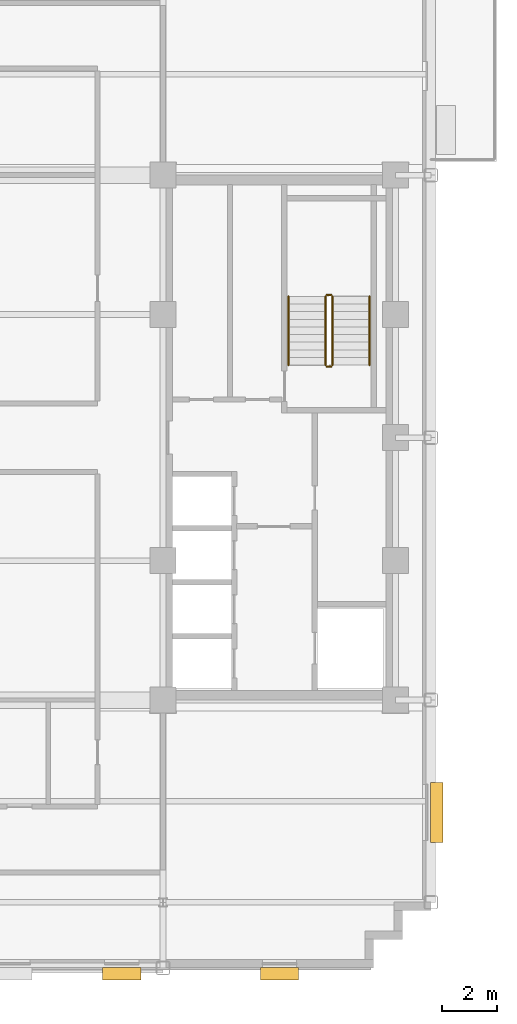
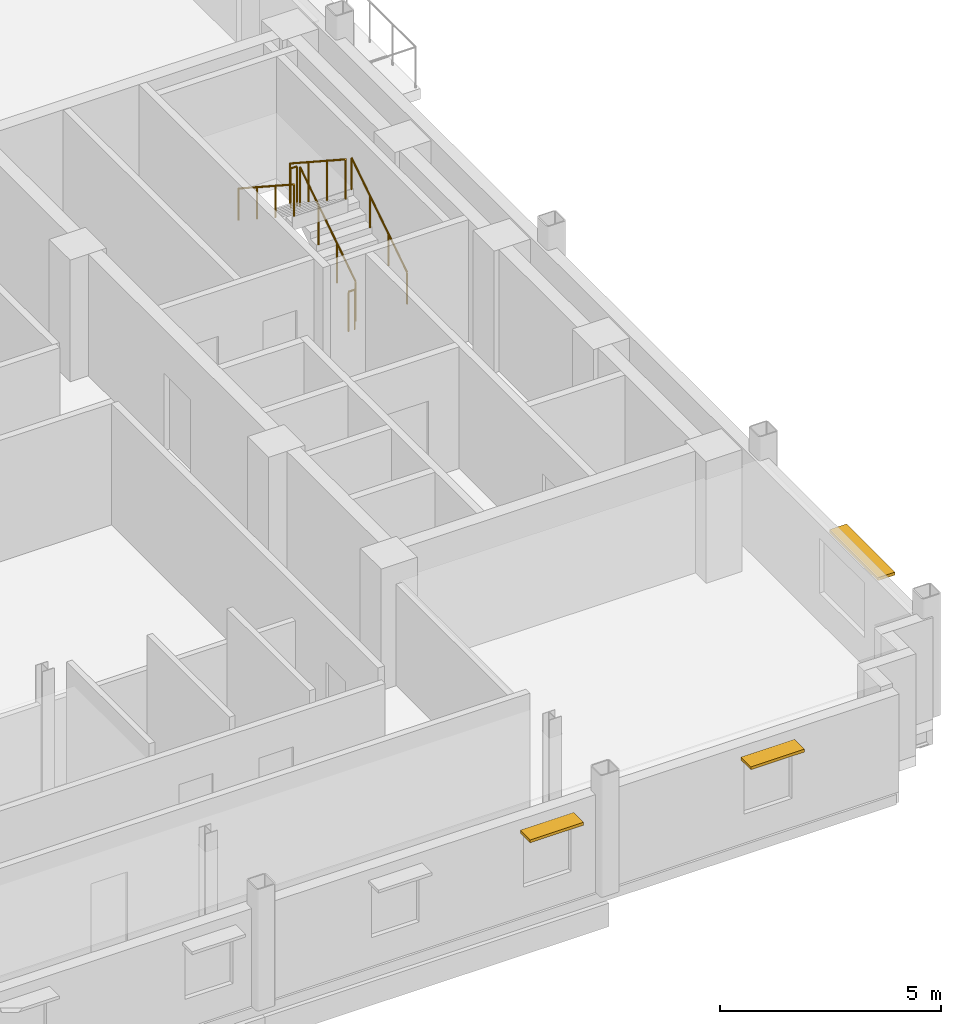
# One storey, part 12 of 13: 6 railings, 3 shading devices.
"""IFC4 building model written with IfcOpenShell, lengths in metres."""

from ifc_helpers import new_model, si_unit, direction, frame, origin, origin_2d, place, context, subcontext, project, spatial, rectangle, circle, extrude, source, transform, mapped, material, type_object, type_shapes, element, save


model = new_model("IFC4")

# Units and contexts
model_context = context("Model", 3, precision=1e-05, world=origin(), true_north=direction((0.0, 1.0)))
body_context = subcontext(model_context, "Body", "Model", "MODEL_VIEW")
ifc_project = project(units=[si_unit("LENGTHUNIT", "METRE"), si_unit("AREAUNIT", "SQUARE_METRE"), si_unit("VOLUMEUNIT", "CUBIC_METRE"), si_unit("PLANEANGLEUNIT", "RADIAN"), si_unit("MASSUNIT", "GRAM", prefix="KILO")], contexts=[model_context])

# Site, building, storey
site_placement = place(None, origin())
site = spatial("IfcSite", under=ifc_project, at=site_placement, CompositionType="ELEMENT")
building_placement = place(site_placement, origin())
building = spatial("IfcBuilding", under=site, at=building_placement, Name="Nuvemarco Arch Tower", CompositionType="ELEMENT")
storey_placement = place(building_placement, frame((0.0, 0.0, 220.10009765625)))
storey = spatial("IfcBuildingStorey", under=building, at=storey_placement, Name="L58", CompositionType="ELEMENT", Elevation=220.10009765625)

# Railings
ifc_material_1 = material(Name="Brushed stainless steel handrail", Category="steel")
railing_type_1 = type_object("IfcRailingType", Name="RL-HANDRAIL-900", PredefinedType="HANDRAIL", material=ifc_material_1)
railing_1_placement = place(storey_placement, frame((16.550048828125, 2.64990234375, 0.182373046875)))
element("IfcRailing", 1, at=railing_1_placement, inside=storey, type_object=railing_type_1, Name="L58 ST-2 stair handrail 1", PredefinedType="HANDRAIL", context=body_context, shape_type="SweptSolid", body=[
    extrude(circle(Radius=0.02392578125, at=origin_2d()), frame((0.0, 0.0, 0.8759765625), z_axis=(0.0, 0.837749427056, 0.546054848405), x_axis=(-1.0, 0.0, 0.0)), (0.0, 0.0, 1.0), 3.008056640625),
    extrude(circle(Radius=0.02099609375, at=origin_2d()), origin(), (0.0, 0.0, 1.0), 0.851806640625),
    extrude(circle(Radius=0.02099609375, at=origin_2d()), frame((0.0, 0.840087890625, 0.547607421875)), (0.0, 0.0, 1.0), 0.851806640625),
    extrude(circle(Radius=0.02099609375, at=origin_2d()), frame((0.0, 1.679931640625, 1.094970703125)), (0.0, 0.0, 1.0), 0.851806640625),
    extrude(circle(Radius=0.02099609375, at=origin_2d()), frame((0.0, 2.52001953125, 1.642578125)), (0.0, 0.0, 1.0), 0.851806640625),
])
railing_2_placement = place(storey_placement, frame((13.590087890625, 5.169921875, 2.00732421875)))
element("IfcRailing", 2, at=railing_2_placement, inside=storey, type_object=railing_type_1, Name="L58 ST-2 stair handrail 2", PredefinedType="HANDRAIL", context=body_context, shape_type="SweptSolid", body=[
    extrude(circle(Radius=0.02392578125, at=origin_2d()), frame((0.0, 0.0, 0.8759765625), z_axis=(0.0, -0.837749427056, 0.546054848405), x_axis=(1.0, 0.0, 0.0)), (0.0, 0.0, 1.0), 3.008056640625),
    extrude(circle(Radius=0.02099609375, at=origin_2d()), origin(), (0.0, 0.0, 1.0), 0.851806640625),
    extrude(circle(Radius=0.02099609375, at=origin_2d()), frame((0.0, -0.840087890625, 0.547607421875)), (0.0, 0.0, 1.0), 0.851806640625),
    extrude(circle(Radius=0.02099609375, at=origin_2d()), frame((0.0, -1.679931640625, 1.094970703125)), (0.0, 0.0, 1.0), 0.851806640625),
    extrude(circle(Radius=0.02099609375, at=origin_2d()), frame((0.0, -2.52001953125, 1.642578125)), (0.0, 0.0, 1.0), 0.851806640625),
])
ifc_material_2 = material(Name="Painted balustrade steel S355", Category="steel")
railing_type_2 = type_object("IfcRailingType", Name="RL-STAIR-GUARD", PredefinedType="GUARDRAIL", material=ifc_material_2)
railing_3_placement = place(storey_placement, frame((15.199951171875, 2.64990234375, 0.182373046875)))
element("IfcRailing", 3, at=railing_3_placement, inside=storey, type_object=railing_type_2, Name="L58 ST-2 stair guard 1", PredefinedType="GUARDRAIL", context=body_context, shape_type="SweptSolid", body=[
    extrude(circle(Radius=0.02392578125, at=origin_2d()), frame((0.0, 0.0, 1.09619140625), z_axis=(0.0, 0.837749427056, 0.546054848405), x_axis=(-1.0, 0.0, 0.0)), (0.0, 0.0, 1.0), 3.008056640625),
    extrude(circle(Radius=0.02099609375, at=origin_2d()), origin(), (0.0, 0.0, 1.0), 1.072021484375),
    extrude(circle(Radius=0.02099609375, at=origin_2d()), frame((0.0, 0.840087890625, 0.547607421875)), (0.0, 0.0, 1.0), 1.072021484375),
    extrude(circle(Radius=0.02099609375, at=origin_2d()), frame((0.0, 1.679931640625, 1.094970703125)), (0.0, 0.0, 1.0), 1.072021484375),
    extrude(circle(Radius=0.02099609375, at=origin_2d()), frame((0.0, 2.52001953125, 1.642578125)), (0.0, 0.0, 1.0), 1.072021484375),
])
railing_4_placement = place(storey_placement, frame((15.14990234375, 5.219970703125, 1.824951171875)))
element("IfcRailing", 4, at=railing_4_placement, inside=storey, type_object=railing_type_2, Name="L58 ST-2 stair guard 2", PredefinedType="GUARDRAIL", context=body_context, shape_type="SweptSolid", body=[
    extrude(circle(Radius=0.02392578125, at=origin_2d()), frame((0.0, 0.0, 1.09619140625), z_axis=(-1.0, 0.0, 0.0), x_axis=(0.0, -1.0, 0.0)), (0.0, 0.0, 1.0), 0.159912109375),
    extrude(circle(Radius=0.02099609375, at=origin_2d()), origin(), (0.0, 0.0, 1.0), 1.072021484375),
    extrude(circle(Radius=0.02099609375, at=origin_2d()), frame((-0.159912109375, 0.0, 0.0)), (0.0, 0.0, 1.0), 1.072021484375),
])
railing_5_placement = place(storey_placement, frame((14.93994140625, 5.169921875, 2.00732421875)))
element("IfcRailing", 5, at=railing_5_placement, inside=storey, type_object=railing_type_2, Name="L58 ST-2 stair guard 3", PredefinedType="GUARDRAIL", context=body_context, shape_type="SweptSolid", body=[
    extrude(circle(Radius=0.02392578125, at=origin_2d()), frame((0.0, 0.0, 1.09619140625), z_axis=(0.0, -0.837749427056, 0.546054848405), x_axis=(1.0, 0.0, 0.0)), (0.0, 0.0, 1.0), 3.008056640625),
    extrude(circle(Radius=0.02099609375, at=origin_2d()), origin(), (0.0, 0.0, 1.0), 1.072021484375),
    extrude(circle(Radius=0.02099609375, at=origin_2d()), frame((0.0, -0.840087890625, 0.547607421875)), (0.0, 0.0, 1.0), 1.072021484375),
    extrude(circle(Radius=0.02099609375, at=origin_2d()), frame((0.0, -1.679931640625, 1.094970703125)), (0.0, 0.0, 1.0), 1.072021484375),
    extrude(circle(Radius=0.02099609375, at=origin_2d()), frame((0.0, -2.52001953125, 1.642578125)), (0.0, 0.0, 1.0), 1.072021484375),
])
railing_6_placement = place(storey_placement, frame((15.14990234375, 2.60009765625, 0.0)))
element("IfcRailing", 6, at=railing_6_placement, inside=storey, type_object=railing_type_2, Name="L58 ST-2 stair guard 4", PredefinedType="GUARDRAIL", context=body_context, shape_type="SweptSolid", body=[
    extrude(circle(Radius=0.02392578125, at=origin_2d()), frame((0.0, 0.0, 1.09619140625), z_axis=(-1.0, 0.0, 0.0), x_axis=(0.0, -1.0, 0.0)), (0.0, 0.0, 1.0), 0.159912109375),
    extrude(circle(Radius=0.02099609375, at=origin_2d()), origin(), (0.0, 0.0, 1.0), 1.072021484375),
    extrude(circle(Radius=0.02099609375, at=origin_2d()), frame((-0.159912109375, 0.0, 0.0)), (0.0, 0.0, 1.0), 1.072021484375),
])

# Shading devices
ifc_material_3 = material(Name="Anodised aluminium 6063-T6", Category="aluminium")
shading_device_type_1 = type_object("IfcShadingDeviceType", Name="SHD-BRISE-SOLEIL", PredefinedType="USERDEFINED", material=ifc_material_3)
shared_shape_1 = source(origin(), body_context, "Body", "SweptSolid", [
    extrude(rectangle(XDim=2.199951171875, YDim=0.449951171875, at=origin_2d()), origin(), (0.0, 0.0, 1.0), 0.080078125),
])
type_shapes(shading_device_type_1, [shared_shape_1])
shading_device_placement = place(storey_placement, frame((19.014892578125, -13.708984375, 2.324951171875), z_axis=(0.0, 0.0, 1.0), x_axis=(0.0, 1.0, 0.0)))
element("IfcShadingDevice", 7, at=shading_device_placement, inside=storey, type_object=shading_device_type_1, Name="L58 horizontal brise-soleil sunshade", ObjectType="SUNSHADE", PredefinedType="USERDEFINED", context=body_context, shape_type="MappedRepresentation", body=[
    mapped(shared_shape_1, transform((0.0, 0.0, 0.0), scale=1.0)),
])
shading_device_type_2 = type_object("IfcShadingDeviceType", Name="SHD-BRISE-NARROW", PredefinedType="USERDEFINED", material=ifc_material_3)
shared_shape_2 = source(origin(), body_context, "Body", "SweptSolid", [
    extrude(rectangle(XDim=1.39990234375, YDim=0.449951171875, at=origin_2d()), origin(), (0.0, 0.0, 1.0), 0.080078125),
])
type_shapes(shading_device_type_2, [shared_shape_2])
for number, where, z_axis, x_axis, name in (
    (8, (7.487548828125, -19.614990234375, 2.324951171875), (0.0, 0.0, 1.0), (1.0, 0.0, 0.0), "L58 horizontal brise-soleil sunshade"),
    (9, (13.262451171875, -19.614990234375, 2.324951171875), (0.0, 0.0, 1.0), (1.0, 0.0, 0.0), "L58 horizontal brise-soleil sunshade"),
):
    element("IfcShadingDevice", number, at=place(storey_placement, frame(where, z_axis=z_axis, x_axis=x_axis)), inside=storey, type_object=shading_device_type_2, Name=name, ObjectType="SUNSHADE", PredefinedType="USERDEFINED", context=body_context, shape_type="MappedRepresentation", body=[
        mapped(shared_shape_2, transform((0.0, 0.0, 0.0), scale=1.0)),
    ])

save(model, "model.ifc")
